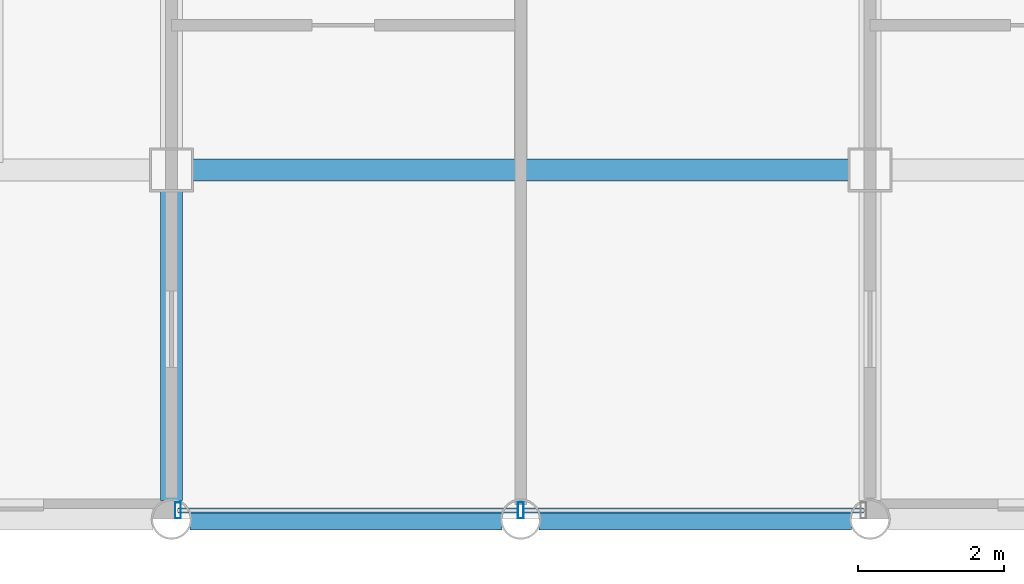
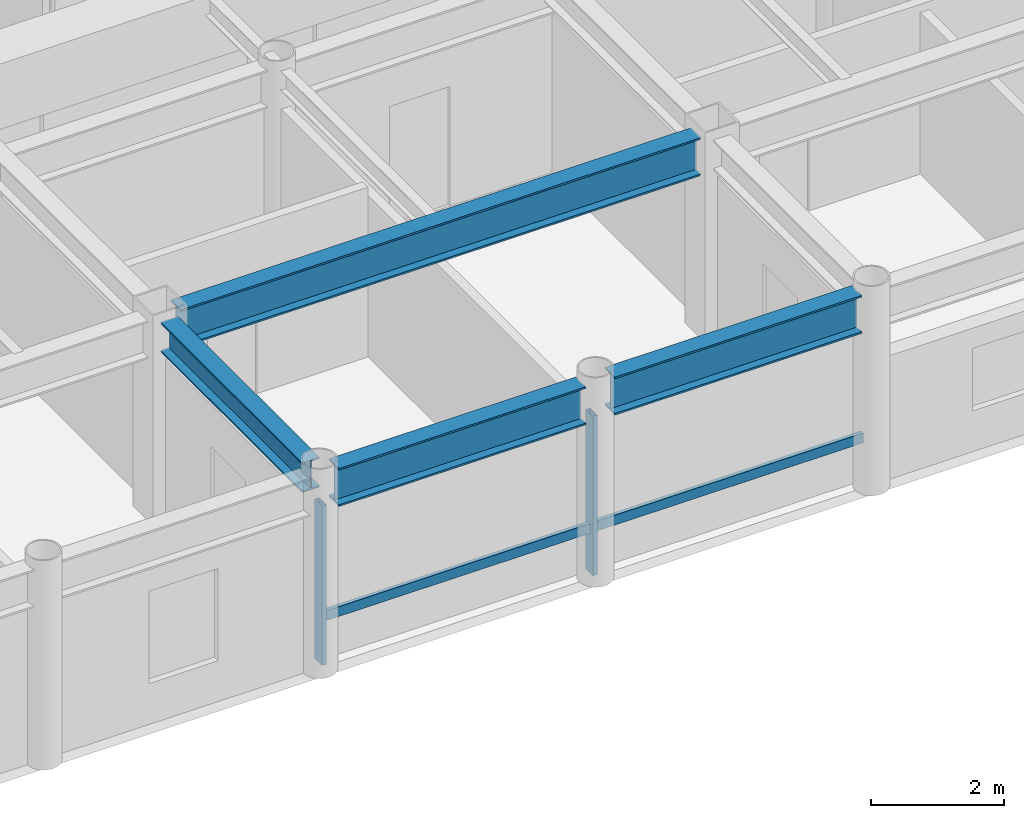
# One storey, part 4 of 23: 4 beams, 4 members, 1 element without a shape of its own.
"""IFC4 building model written with IfcOpenShell, lengths in metres."""

from ifc_helpers import new_model, si_unit, direction, frame, origin, origin_2d, place, context, subcontext, project, spatial, hollow_rectangle, i_section, extrude, material, layer, layer_set, material_profile, profile_set, type_object, element, aggregate, save


model = new_model("IFC4")

# Units and contexts
model_context = context("Model", 3, precision=1e-05, world=origin(), true_north=direction((0.0, 1.0)))
body_context = subcontext(model_context, "Body", "Model", "MODEL_VIEW")
ifc_project = project(units=[si_unit("LENGTHUNIT", "METRE"), si_unit("AREAUNIT", "SQUARE_METRE"), si_unit("VOLUMEUNIT", "CUBIC_METRE"), si_unit("PLANEANGLEUNIT", "RADIAN"), si_unit("MASSUNIT", "GRAM", prefix="KILO")], contexts=[model_context])

# Site, building, storey
site_placement = place(None, origin())
site = spatial("IfcSite", under=ifc_project, at=site_placement, CompositionType="ELEMENT")
building_placement = place(site_placement, origin())
building = spatial("IfcBuilding", under=site, at=building_placement, Name="Kallvorn Hotel Tower", CompositionType="ELEMENT")
storey_placement = place(building_placement, frame((0.0, 0.0, 237.699951171875)))
storey = spatial("IfcBuildingStorey", under=building, at=storey_placement, Name="L59", CompositionType="ELEMENT", Elevation=237.699951171875)

# Beams
ifc_material_1 = material(Name="Structural steel S355JR", Category="steel")
ifc_material_profile_1 = material_profile(ifc_material_1, i_section(OverallWidth=0.300048828125, OverallDepth=0.550048828125, WebThickness=0.014892578125, FlangeThickness=0.029052734375, at=origin_2d()), Name="HE 550 B")
ifc_profile_set_1 = profile_set([ifc_material_profile_1], Name="Structural steel S355JR")
beam_type_1 = type_object("IfcBeamType", Name="BM_HE550B", PredefinedType="SPANDREL", material=ifc_profile_set_1)
beam_1_placement = place(storey_placement, frame((-4.800048828125, -18.945556640625, 3.39501953125), z_axis=(0.0, 1.0, 0.0), x_axis=(-1.0, 0.0, 0.0)))
element("IfcBeam", 1, at=beam_1_placement, inside=storey, type_object=beam_type_1, Name="L60 Primary Y-Girder 105", PredefinedType="SPANDREL", context=body_context, shape_type="SweptSolid", body=[
    extrude(i_section(OverallWidth=0.300048828125, OverallDepth=0.550048828125, WebThickness=0.014892578125, FlangeThickness=0.029052734375, at=origin_2d()), origin(), (0.0, 0.0, 1.0), 4.2705078125),
])
ifc_material_2 = material(Name="Structural steel S355JR", Category="steel")
ifc_material_profile_2 = material_profile(ifc_material_2, i_section(OverallWidth=0.300048828125, OverallDepth=0.699951171875, WebThickness=0.01708984375, FlangeThickness=0.031982421875, at=origin_2d()), Name="HE 700 B")
ifc_profile_set_2 = profile_set([ifc_material_profile_2], Name="Structural steel S355JR")
beam_type_2 = type_object("IfcBeamType", Name="BM_HE700B", PredefinedType="BEAM", material=ifc_profile_set_2)
for number, where, z_axis, x_axis, name in (
    (2, (-4.54541015625, -19.199951171875, 3.320068359375), (1.0, 0.0, 0.0), (0.0, 1.0, 0.0), "L60 Primary X-Girder 06"),
    (3, (0.25439453125, -19.199951171875, 3.320068359375), (1.0, 0.0, 0.0), (0.0, 1.0, 0.0), "L60 Primary X-Girder 07"),
):
    element("IfcBeam", number, at=place(storey_placement, frame(where, z_axis=z_axis, x_axis=x_axis)), inside=storey, type_object=beam_type_2, Name=name, PredefinedType="BEAM", context=body_context, shape_type="SweptSolid", body=[
        extrude(i_section(OverallWidth=0.300048828125, OverallDepth=0.699951171875, WebThickness=0.01708984375, FlangeThickness=0.031982421875, at=origin_2d()), origin(), (0.0, 0.0, 1.0), 4.291015625),
    ])
beam_2_placement = place(storey_placement, frame((-4.52490234375, -14.39990234375, 3.320068359375), z_axis=(1.0, 0.0, 0.0), x_axis=(0.0, 1.0, 0.0)))
element("IfcBeam", 4, at=beam_2_placement, inside=storey, type_object=beam_type_2, Name="L60 Primary X-Girder 17", PredefinedType="BEAM", context=body_context, shape_type="SweptSolid", body=[
    extrude(i_section(OverallWidth=0.300048828125, OverallDepth=0.699951171875, WebThickness=0.01708984375, FlangeThickness=0.031982421875, at=origin_2d()), origin(), (0.0, 0.0, 1.0), 9.0498046875),
])

# Curtain wall, members
ifc_material_3 = material(Name="Thermally broken black-anodised aluminium AA 6063-T6", Category="aluminium")
ifc_layer = layer(ifc_material_3, 0.22998046875)
ifc_layer_set = layer_set([ifc_layer], Name="CW_SYS_5_HOTEL_HIGH")
curtain_wall_type = type_object("IfcCurtainWallType", Name="CW_SYS_5_HOTEL_HIGH", PredefinedType="USERDEFINED", material=ifc_layer_set)
curtain_wall_placement = place(storey_placement, origin())
curtain_wall = element("IfcCurtainWall", 5, at=curtain_wall_placement, inside=storey, type_object=curtain_wall_type, Name="L59 Dark-Glass Curtain Wall CW-L59-SC", ObjectType="UNITISED CURTAIN WALL", PredefinedType="USERDEFINED")
ifc_material_4 = material(Name="Thermally broken black-anodised aluminium AA 6063-T6", Category="aluminium")
ifc_material_profile_3 = material_profile(ifc_material_4, hollow_rectangle(XDim=0.080078125, YDim=0.219970703125, WallThickness=0.0048828125, at=origin_2d()), Name="MUL 220x80")
ifc_profile_set_3 = profile_set([ifc_material_profile_3], Name="Thermally broken black-anodised aluminium AA 6063-T6")
member_type_1 = type_object("IfcMemberType", Name="CW_MULLION_220x80", PredefinedType="MULLION", material=ifc_profile_set_3)
member_1_placement = place(storey_placement, frame((-4.7099609375, -19.080078125, 0.02001953125), z_axis=(0.0, 0.0, 1.0), x_axis=(1.0, 0.0, 0.0)))
member_1 = element("IfcMember", 6, at=member_1_placement, type_object=member_type_1, Name="CW-L59-SC Mullion 00", PredefinedType="MULLION", context=body_context, shape_type="SweptSolid", body=[
    extrude(hollow_rectangle(XDim=0.080078125, YDim=0.219970703125, WallThickness=0.0048828125, at=origin_2d()), origin(), (0.0, 0.0, 1.0), 2.929931640625),
])
member_2_placement = place(storey_placement, frame((0.0, -19.080078125, 0.02001953125), z_axis=(0.0, 0.0, 1.0), x_axis=(1.0, 0.0, 0.0)))
member_2 = element("IfcMember", 7, at=member_2_placement, type_object=member_type_1, Name="CW-L59-SC Mullion 01", PredefinedType="MULLION", context=body_context, shape_type="SweptSolid", body=[
    extrude(hollow_rectangle(XDim=0.080078125, YDim=0.219970703125, WallThickness=0.0048828125, at=origin_2d()), origin(), (0.0, 0.0, 1.0), 2.929931640625),
])
ifc_material_5 = material(Name="Thermally broken black-anodised aluminium AA 6063-T6", Category="aluminium")
ifc_material_profile_4 = material_profile(ifc_material_5, hollow_rectangle(XDim=0.070068359375, YDim=0.179931640625, WallThickness=0.00390625, at=origin_2d()), Name="TRN 180x70")
ifc_profile_set_4 = profile_set([ifc_material_profile_4], Name="Thermally broken black-anodised aluminium AA 6063-T6")
member_type_2 = type_object("IfcMemberType", Name="CW_TRANSOM_180x70", PredefinedType="USERDEFINED", material=ifc_profile_set_4)
member_3_placement = place(storey_placement, frame((-4.7099609375, -19.080078125, 0.85009765625), z_axis=(1.0, 0.0, 0.0), x_axis=(0.0, 1.0, 0.0)))
member_3 = element("IfcMember", 8, at=member_3_placement, type_object=member_type_2, Name="CW-L59-SC Transom 00M", ObjectType="TRANSOM", PredefinedType="USERDEFINED", context=body_context, shape_type="SweptSolid", body=[
    extrude(hollow_rectangle(XDim=0.070068359375, YDim=0.179931640625, WallThickness=0.00390625, at=origin_2d()), origin(), (0.0, 0.0, 1.0), 4.669921875),
])
member_4_placement = place(storey_placement, frame((0.0400390625, -19.080078125, 0.85009765625), z_axis=(1.0, 0.0, 0.0), x_axis=(0.0, 1.0, 0.0)))
member_4 = element("IfcMember", 9, at=member_4_placement, type_object=member_type_2, Name="CW-L59-SC Transom 01M", ObjectType="TRANSOM", PredefinedType="USERDEFINED", context=body_context, shape_type="SweptSolid", body=[
    extrude(hollow_rectangle(XDim=0.070068359375, YDim=0.179931640625, WallThickness=0.00390625, at=origin_2d()), origin(), (0.0, 0.0, 1.0), 4.669921875),
])
aggregate(curtain_wall, [member_1, member_2, member_3, member_4])

save(model, "model.ifc")
